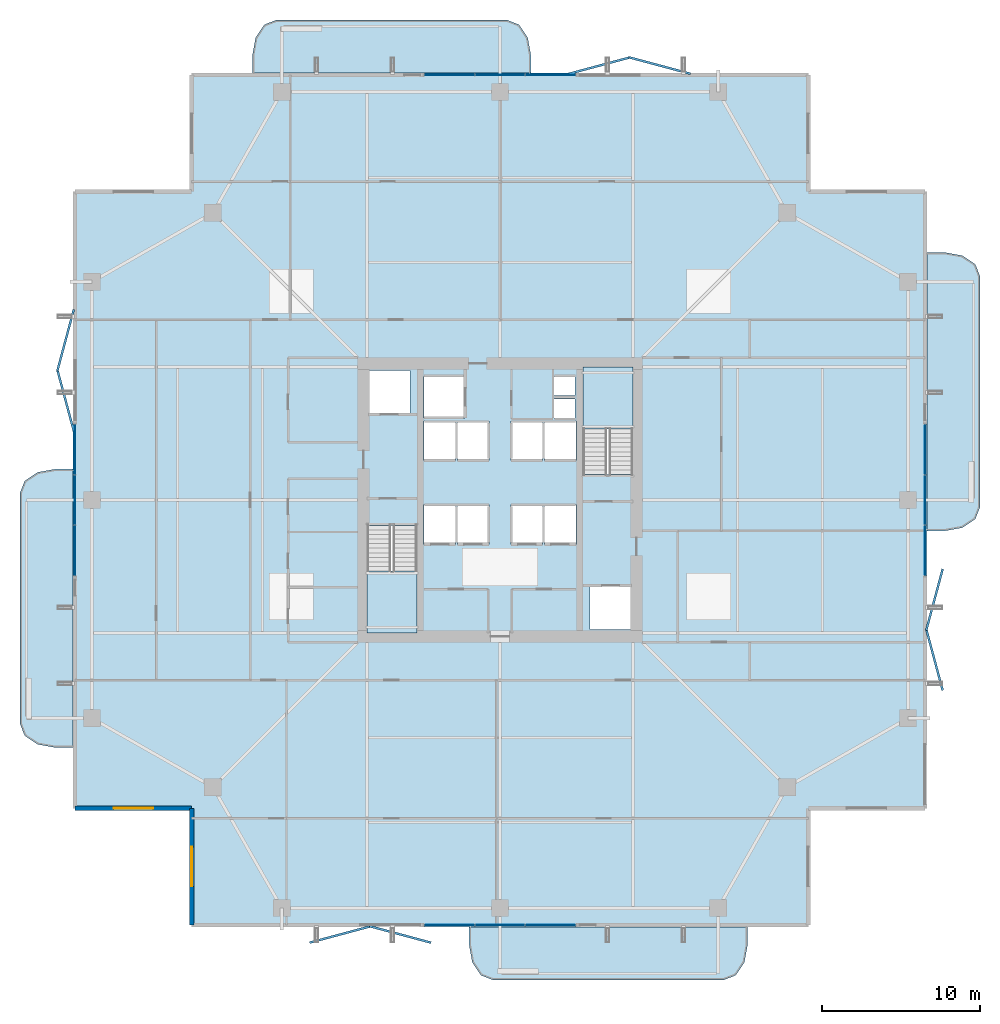
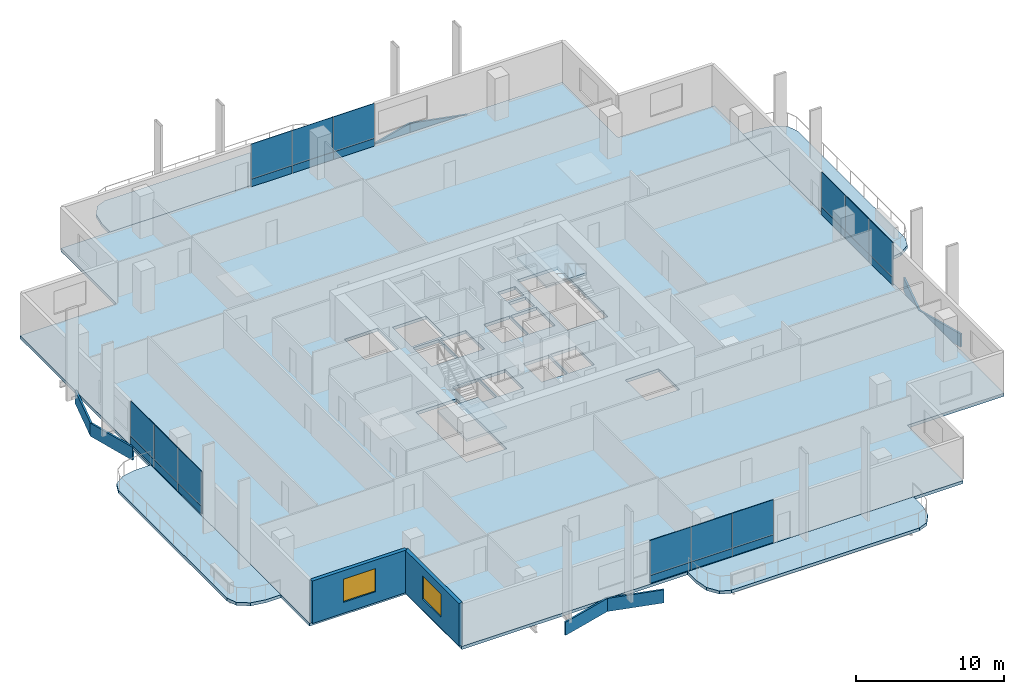
# One storey, part 16 of 24: 32 plates, 7 slabs, 2 walls, 2 windows, 2 openings, 6 elements without a shape of their own.
"""IFC4 building model written with IfcOpenShell, lengths in metres."""

import ifcopenshell
import ifcopenshell.guid

model = None  # the IFC model being written
_history = None  # IfcOwnerHistory: only IFC2X3 demands one
_inside = {}  # id of a spatial element -> (the spatial element, [elements in it])
_under = {}  # id of a project, library or spatial element -> (it, [spatial elements below it])
_declared = {}  # id of a project -> (the project, [libraries it declares])
_typed = {}  # id of a type object -> (the type object, [elements of that type])
_made_of = {}  # id of a material, layer set ... -> (it, [elements and type objects made of it])


def new_model(schema):
    """Start an empty IFC model of exactly this schema.

    Asked for "IFC4X3", IfcOpenShell would pick the latest addendum, in which some entities
    have other attributes; the version numbers below select the first issue.
    IFC2X3 requires an IfcOwnerHistory on every rooted entity: one is made here for all.
    """
    global model, _history
    if schema == "IFC4X3":
        model = ifcopenshell.file(schema_version=(4, 3, 0, 0))
    else:
        model = ifcopenshell.file(schema=schema)
    _inside.clear()
    _under.clear()
    _declared.clear()
    _typed.clear()
    _made_of.clear()
    _history = None
    if model.schema == "IFC2X3":
        org = make("IfcOrganization", Name="unknown")
        user = make(
            "IfcPersonAndOrganization",
            ThePerson=make("IfcPerson", FamilyName="unknown"),
            TheOrganization=org,
        )
        app = make(
            "IfcApplication",
            ApplicationDeveloper=org,
            Version="unknown",
            ApplicationFullName="unknown",
            ApplicationIdentifier="unknown",
        )
        _history = make(
            "IfcOwnerHistory",
            OwningUser=user,
            OwningApplication=app,
            ChangeAction="ADDED",
            CreationDate=0,
        )
    return model


def make(cls, **values):
    """One entity of the class cls with the attributes given. An attribute that is None is left unset."""
    return model.create_entity(
        cls, **{name: value for name, value in values.items() if value is not None}
    )


def rooted(cls, **values):
    """An entity with a GlobalId (a new one), such as an element, a storey or a relation."""
    return make(cls, GlobalId=ifcopenshell.guid.new(), OwnerHistory=_history, **values)


def si_unit(unit_type, name, prefix=None):
    """IfcSIUnit, for example si_unit("LENGTHUNIT", "METRE", prefix="MILLI")."""
    return make("IfcSIUnit", UnitType=unit_type, Prefix=prefix, Name=name)


def assignment(units):
    """IfcUnitAssignment: the units of a project."""
    return None if units is None else make("IfcUnitAssignment", Units=units)


def point(xyz):
    """IfcCartesianPoint."""
    return None if xyz is None else make("IfcCartesianPoint", Coordinates=xyz)


def direction(xyz):
    """IfcDirection."""
    return None if xyz is None else make("IfcDirection", DirectionRatios=xyz)


def frame(location, z_axis=None, x_axis=None):
    """IfcAxis2Placement3D, a coordinate frame: its origin and axes. An axis left out is left unset."""
    return make(
        "IfcAxis2Placement3D",
        Location=point(location),
        Axis=direction(z_axis),
        RefDirection=direction(x_axis),
    )


def frame_2d(location, x_axis=None):
    """IfcAxis2Placement2D, a coordinate frame in the plane: its origin and x axis."""
    return make(
        "IfcAxis2Placement2D", Location=point(location), RefDirection=direction(x_axis)
    )


def origin():
    """The frame at (0, 0, 0) with its axes left unset."""
    return frame((0.0, 0.0, 0.0))


def origin_2d():
    """The frame at (0, 0) in the plane with its x axis left unset."""
    return frame_2d((0.0, 0.0))


def place(relative_to, where):
    """IfcLocalPlacement: puts the frame where relative to a parent placement (None: the world)."""
    return make(
        "IfcLocalPlacement", PlacementRelTo=relative_to, RelativePlacement=where
    )


def context(
    kind, dimensions, precision=None, world=None, true_north=None, identifier=None
):
    """IfcGeometricRepresentationContext, for example the 3D "Model" context."""
    return make(
        "IfcGeometricRepresentationContext",
        ContextIdentifier=identifier,
        ContextType=kind,
        CoordinateSpaceDimension=dimensions,
        Precision=precision,
        WorldCoordinateSystem=world,
        TrueNorth=true_north,
    )


def subcontext(parent, identifier, kind, view, scale=None):
    """IfcGeometricRepresentationSubContext, for example "Body" below "Model"."""
    return make(
        "IfcGeometricRepresentationSubContext",
        ContextIdentifier=identifier,
        ContextType=kind,
        ParentContext=parent,
        TargetScale=scale,
        TargetView=view,
    )


def project(units=None, contexts=None):
    """IfcProject with its units and contexts."""
    return rooted(
        "IfcProject",
        Name="project",
        RepresentationContexts=contexts,
        UnitsInContext=assignment(units),
    )


def spatial(cls, under=None, at=None, **own):
    """A site, building, storey or space (cls), placed at a placement, below another one or the project."""
    s = rooted(cls, ObjectPlacement=at, **own)
    if under is not None:
        _under.setdefault(under.id(), (under, []))[1].append(s)
    return s


def polyline(points):
    """IfcPolyline through the points."""
    return make("IfcPolyline", Points=[point(p) for p in points])


def profile(cls, at=None, kind="AREA", **sizes):
    """A parametric profile (cls). Its sizes go by their IFC names, for example OverallWidth=200.0."""
    return make(cls, ProfileType=kind, Position=at, **sizes)


def rectangle(**sizes):
    """IfcRectangleProfileDef."""
    return profile("IfcRectangleProfileDef", **sizes)


def outline(outer, holes=None, kind="AREA"):
    """IfcArbitraryClosedProfileDef: a profile drawn as a closed curve; with holes, ...WithVoids."""
    if holes is None:
        return make("IfcArbitraryClosedProfileDef", ProfileType=kind, OuterCurve=outer)
    return make(
        "IfcArbitraryProfileDefWithVoids",
        ProfileType=kind,
        OuterCurve=outer,
        InnerCurves=holes,
    )


def extrude(swept, where, along, depth):
    """IfcExtrudedAreaSolid: the profile swept, set in the frame where, extruded along a direction by depth."""
    return make(
        "IfcExtrudedAreaSolid",
        SweptArea=swept,
        Position=where,
        ExtrudedDirection=direction(along),
        Depth=depth,
    )


def shape(context_of_items, identifier, shape_type, items):
    """IfcShapeRepresentation: the items that make up one representation, for example the "Body"."""
    return make(
        "IfcShapeRepresentation",
        ContextOfItems=context_of_items,
        RepresentationIdentifier=identifier,
        RepresentationType=shape_type,
        Items=items,
    )


def material(Name=None, Category=None):
    """IfcMaterial."""
    return make("IfcMaterial", Name=Name, Category=Category)


def layer(
    of_material, thickness, ventilated=None, Name=None, Category=None, Priority=None
):
    """IfcMaterialLayer: one layer of a wall or slab, of a material (None: an air gap)."""
    return make(
        "IfcMaterialLayer",
        Material=of_material,
        LayerThickness=thickness,
        IsVentilated=ventilated,
        Name=Name,
        Category=Category,
        Priority=Priority,
    )


def layer_set(layers, Name=None):
    """IfcMaterialLayerSet."""
    return make("IfcMaterialLayerSet", MaterialLayers=layers, LayerSetName=Name)


def made_of(thing, what):
    """Note that an element or type object is made of a material, layer set ...; save() writes the relation."""
    if what is not None:
        _made_of.setdefault(what.id(), (what, []))[1].append(thing)
    return thing


def type_object(cls, material=None, **own):
    """A type object (cls), such as IfcWallType, which elements share."""
    return made_of(rooted(cls, **own), material)


def element(
    cls,
    number,
    at=None,
    inside=None,
    cuts=None,
    type_object=None,
    material=None,
    context=None,
    identifier="Body",
    shape_type=None,
    held_by="IfcProductDefinitionShape",
    body=None,
    shapes=None,
    **own,
):
    """One element of the class cls, such as IfcWall. Its Tag is "e" and its number.

    at: its placement. inside: the storey or other place that contains it. cuts: it is an
    opening in that element (IfcRelVoidsElement). A single representation is given by context,
    identifier, shape_type and body (its items); several are given by shapes. held_by: the class
    of the entity that holds the representations. save() writes the other relations.
    """
    e = rooted(cls, Tag="e%d" % number, ObjectPlacement=at, **own)
    if body is not None:
        shapes = [shape(context, identifier, shape_type, body)]
    if shapes is not None:
        e.Representation = make(held_by, Representations=shapes)
    if inside is not None:
        _inside.setdefault(inside.id(), (inside, []))[1].append(e)
    if cuts is not None:
        rooted(
            "IfcRelVoidsElement", RelatingBuildingElement=cuts, RelatedOpeningElement=e
        )
    if type_object is not None:
        _typed.setdefault(type_object.id(), (type_object, []))[1].append(e)
    return made_of(e, material)


def fill(opening, filler):
    """IfcRelFillsElement: the door or window that sits in an opening."""
    return rooted(
        "IfcRelFillsElement",
        RelatingOpeningElement=opening,
        RelatedBuildingElement=filler,
    )


def aggregate(whole, parts):
    """IfcRelAggregates: a whole, such as a stair, and the parts it consists of."""
    return rooted("IfcRelAggregates", RelatingObject=whole, RelatedObjects=parts)


def save(model, path):
    """Write the relations noted so far, then the file.

    IfcRelAggregates (storeys below a building ...), IfcRelContainedInSpatialStructure (elements
    in a storey), IfcRelDefinesByType, IfcRelAssociatesMaterial and IfcRelDeclares: one each for
    every whole, place, type object, material and project.
    """
    for whole, parts in _under.values():
        aggregate(whole, parts)
    for where, things in _inside.values():
        rooted(
            "IfcRelContainedInSpatialStructure",
            RelatedElements=things,
            RelatingStructure=where,
        )
    for kind, things in _typed.values():
        rooted("IfcRelDefinesByType", RelatedObjects=things, RelatingType=kind)
    for what, things in _made_of.values():
        rooted("IfcRelAssociatesMaterial", RelatedObjects=things, RelatingMaterial=what)
    for by, libraries in _declared.values():
        rooted("IfcRelDeclares", RelatingContext=by, RelatedDefinitions=libraries)
    model.write(path)


model = new_model("IFC4")

# Units and contexts
model_context = context("Model", 3, precision=1e-05, world=origin(), true_north=direction((0.0, 1.0)))
body_context = subcontext(model_context, "Body", "Model", "MODEL_VIEW")
ifc_project = project(units=[si_unit("LENGTHUNIT", "METRE"), si_unit("AREAUNIT", "SQUARE_METRE"), si_unit("VOLUMEUNIT", "CUBIC_METRE"), si_unit("PLANEANGLEUNIT", "RADIAN"), si_unit("MASSUNIT", "GRAM", prefix="KILO")], contexts=[model_context])

# Site, building, storey
site_placement = place(None, origin())
site = spatial("IfcSite", under=ifc_project, at=site_placement, CompositionType="ELEMENT")
building_placement = place(site_placement, origin())
building = spatial("IfcBuilding", under=site, at=building_placement, Name="Belovzor Exchange Tower", CompositionType="ELEMENT")
storey_placement = place(building_placement, frame((0.0, 0.0, 226.199951171875)))
storey = spatial("IfcBuildingStorey", under=building, at=storey_placement, Name="L56", CompositionType="ELEMENT", Elevation=226.199951171875)

# Slab
ifc_material_1 = material(Name="Concrete C40/50", Category="concrete")
ifc_layer_1 = layer(ifc_material_1, 0.25)
ifc_layer_set_1 = layer_set([ifc_layer_1], Name="Concrete C40/50")
slab_type_1 = type_object("IfcSlabType", Name="Composite Concrete Floor Deck Slab 250", PredefinedType="FLOOR", material=ifc_layer_set_1)
slab_1_placement = place(storey_placement, frame((0.0, 0.0, -0.25)))
element("IfcSlab", 1, at=slab_1_placement, inside=storey, type_object=slab_type_1, Name="SL-F250 Structural Slab L56", PredefinedType="FLOOR", context=body_context, shape_type="SweptSolid", body=[
    extrude(outline(polyline([(9.300048828125, 1.800048828125), (48.300048828125, 1.800048828125), (48.300048828125, 9.300048828125), (55.800048828125, 9.300048828125), (55.800048828125, 48.300048828125), (48.300048828125, 48.300048828125), (48.300048828125, 55.800048828125), (9.300048828125, 55.800048828125), (9.300048828125, 48.300048828125), (1.800048828125, 48.300048828125), (1.800048828125, 9.300048828125), (9.300048828125, 9.300048828125), (9.300048828125, 1.800048828125)]), holes=[polyline([(20.39990234375, 27.175048828125), (20.39990234375, 20.39990234375), (23.550048828125, 20.39990234375), (23.550048828125, 27.175048828125), (20.39990234375, 27.175048828125)]), polyline([(37.199951171875, 30.425048828125), (37.199951171875, 37.199951171875), (34.050048828125, 37.199951171875), (34.050048828125, 30.425048828125), (37.199951171875, 30.425048828125)]), polyline([(20.5, 34.199951171875), (23.10009765625, 34.199951171875), (23.10009765625, 37.0), (20.5, 37.0), (20.5, 34.199951171875)]), polyline([(34.5, 20.60009765625), (37.10009765625, 20.60009765625), (37.10009765625, 23.39990234375), (34.5, 23.39990234375), (34.5, 20.60009765625)]), polyline([(24.0, 34.0), (26.60009765625, 34.0), (26.60009765625, 36.60009765625), (24.0, 36.60009765625), (24.0, 34.0)]), polyline([(24.0, 26.0), (26.0, 26.0), (26.0, 28.5), (24.0, 28.5), (24.0, 26.0)]), polyline([(26.10009765625, 26.0), (28.10009765625, 26.0), (28.10009765625, 28.5), (26.10009765625, 28.5), (26.10009765625, 26.0)]), polyline([(29.5, 26.0), (31.5, 26.0), (31.5, 28.5), (29.5, 28.5), (29.5, 26.0)]), polyline([(31.60009765625, 26.0), (33.60009765625, 26.0), (33.60009765625, 28.5), (31.60009765625, 28.5), (31.60009765625, 26.0)]), polyline([(24.0, 31.300048828125), (26.0, 31.300048828125), (26.0, 33.800048828125), (24.0, 33.800048828125), (24.0, 31.300048828125)]), polyline([(26.10009765625, 31.300048828125), (28.10009765625, 31.300048828125), (28.10009765625, 33.800048828125), (26.10009765625, 33.800048828125), (26.10009765625, 31.300048828125)]), polyline([(29.5, 31.300048828125), (31.5, 31.300048828125), (31.5, 33.800048828125), (29.5, 33.800048828125), (29.5, 31.300048828125)]), polyline([(31.60009765625, 31.300048828125), (33.60009765625, 31.300048828125), (33.60009765625, 33.800048828125), (31.60009765625, 33.800048828125), (31.60009765625, 31.300048828125)]), polyline([(32.199951171875, 34.0), (33.550048828125, 34.0), (33.550048828125, 35.199951171875), (32.199951171875, 35.199951171875), (32.199951171875, 34.0)]), polyline([(32.199951171875, 35.39990234375), (33.550048828125, 35.39990234375), (33.550048828125, 36.60009765625), (32.199951171875, 36.60009765625), (32.199951171875, 35.39990234375)])]), origin(), (0.0, 0.0, 1.0), 0.25),
])

# Curtain wall, plates
ifc_material_2 = material(Name="Anodised Aluminium Framing", Category="aluminium")
ifc_layer_2 = layer(ifc_material_2, 0.179931640625)
ifc_layer_set_2 = layer_set([ifc_layer_2], Name="Anodised Aluminium Framing")
curtain_wall_type = type_object("IfcCurtainWallType", Name="Recessed Loggia Low-Iron Triple-Glazed Curtain Wall", PredefinedType="NOTDEFINED", material=ifc_layer_set_2)
curtain_wall_1_placement = place(storey_placement, origin())
curtain_wall_1 = element("IfcCurtainWall", 2, at=curtain_wall_1_placement, inside=storey, type_object=curtain_wall_type, Name="CW3 Recessed Loggia Low-Iron Triple-Glazed Curtain Wall L56", PredefinedType="NOTDEFINED")
ifc_material_3 = material(Name="Solar-Control Triple Glazing", Category="glass")
ifc_layer_3 = layer(ifc_material_3, 0.0439453125)
ifc_layer_set_3 = layer_set([ifc_layer_3], Name="Solar-Control Triple Glazing")
plate_type_1 = type_object("IfcPlateType", Name="Insulated Solar Glazing Curtain Panel 44", PredefinedType="CURTAIN_PANEL", material=ifc_layer_set_3)
plate_1_placement = place(storey_placement, frame((32.0, 1.929931640625, 0.63232421875), z_axis=(0.0, 0.0, 1.0), x_axis=(-1.0, 0.0, 0.0)))
plate_1 = element("IfcPlate", 3, at=plate_1_placement, type_object=plate_type_1, Name="GLZ-44 Glazed Curtain Panel 1", PredefinedType="CURTAIN_PANEL", context=body_context, shape_type="SweptSolid", body=[
    extrude(rectangle(XDim=3.18408203125, YDim=0.0439453125, at=origin_2d()), origin(), (0.0, 0.0, 1.0), 2.867919921875),
])
plate_2_placement = place(storey_placement, frame((28.800048828125, 1.929931640625, 0.63232421875), z_axis=(0.0, 0.0, 1.0), x_axis=(-1.0, 0.0, 0.0)))
plate_2 = element("IfcPlate", 4, at=plate_2_placement, type_object=plate_type_1, Name="GLZ-44 Glazed Curtain Panel 2", PredefinedType="CURTAIN_PANEL", context=body_context, shape_type="SweptSolid", body=[
    extrude(rectangle(XDim=3.18408203125, YDim=0.0439453125, at=origin_2d()), origin(), (0.0, 0.0, 1.0), 2.867919921875),
])
plate_3_placement = place(storey_placement, frame((25.60009765625, 1.929931640625, 0.63232421875), z_axis=(0.0, 0.0, 1.0), x_axis=(-1.0, 0.0, 0.0)))
plate_3 = element("IfcPlate", 5, at=plate_3_placement, type_object=plate_type_1, Name="GLZ-44 Glazed Curtain Panel 3", PredefinedType="CURTAIN_PANEL", context=body_context, shape_type="SweptSolid", body=[
    extrude(rectangle(XDim=3.18408203125, YDim=0.0439453125, at=origin_2d()), origin(), (0.0, 0.0, 1.0), 2.867919921875),
])

curtain_wall_2_placement = place(storey_placement, origin())
curtain_wall_2 = element("IfcCurtainWall", 6, at=curtain_wall_2_placement, inside=storey, type_object=curtain_wall_type, Name="CW3 Recessed Loggia Low-Iron Triple-Glazed Curtain Wall L56", PredefinedType="NOTDEFINED")
plate_4_placement = place(storey_placement, frame((25.60009765625, 55.669921875, 0.63232421875), z_axis=(0.0, 0.0, 1.0), x_axis=(1.0, 0.0, 0.0)))
plate_4 = element("IfcPlate", 7, at=plate_4_placement, type_object=plate_type_1, Name="GLZ-44 Glazed Curtain Panel 1", PredefinedType="CURTAIN_PANEL", context=body_context, shape_type="SweptSolid", body=[
    extrude(rectangle(XDim=3.18408203125, YDim=0.0439453125, at=origin_2d()), origin(), (0.0, 0.0, 1.0), 2.867919921875),
])
plate_5_placement = place(storey_placement, frame((28.800048828125, 55.669921875, 0.63232421875), z_axis=(0.0, 0.0, 1.0), x_axis=(1.0, 0.0, 0.0)))
plate_5 = element("IfcPlate", 8, at=plate_5_placement, type_object=plate_type_1, Name="GLZ-44 Glazed Curtain Panel 2", PredefinedType="CURTAIN_PANEL", context=body_context, shape_type="SweptSolid", body=[
    extrude(rectangle(XDim=3.18408203125, YDim=0.0439453125, at=origin_2d()), origin(), (0.0, 0.0, 1.0), 2.867919921875),
])
plate_6_placement = place(storey_placement, frame((32.0, 55.669921875, 0.63232421875), z_axis=(0.0, 0.0, 1.0), x_axis=(1.0, 0.0, 0.0)))
plate_6 = element("IfcPlate", 9, at=plate_6_placement, type_object=plate_type_1, Name="GLZ-44 Glazed Curtain Panel 3", PredefinedType="CURTAIN_PANEL", context=body_context, shape_type="SweptSolid", body=[
    extrude(rectangle(XDim=3.18408203125, YDim=0.0439453125, at=origin_2d()), origin(), (0.0, 0.0, 1.0), 2.867919921875),
])

curtain_wall_3_placement = place(storey_placement, origin())
curtain_wall_3 = element("IfcCurtainWall", 10, at=curtain_wall_3_placement, inside=storey, type_object=curtain_wall_type, Name="CW3 Recessed Loggia Low-Iron Triple-Glazed Curtain Wall L56", PredefinedType="NOTDEFINED")
plate_7_placement = place(storey_placement, frame((1.929931640625, 25.60009765625, 0.63232421875), z_axis=(0.0, 0.0, 1.0), x_axis=(0.0, 1.0, 0.0)))
plate_7 = element("IfcPlate", 11, at=plate_7_placement, type_object=plate_type_1, Name="GLZ-44 Glazed Curtain Panel 1", PredefinedType="CURTAIN_PANEL", context=body_context, shape_type="SweptSolid", body=[
    extrude(rectangle(XDim=3.18408203125, YDim=0.0439453125, at=origin_2d()), origin(), (0.0, 0.0, 1.0), 2.867919921875),
])
plate_8_placement = place(storey_placement, frame((1.929931640625, 28.800048828125, 0.63232421875), z_axis=(0.0, 0.0, 1.0), x_axis=(0.0, 1.0, 0.0)))
plate_8 = element("IfcPlate", 12, at=plate_8_placement, type_object=plate_type_1, Name="GLZ-44 Glazed Curtain Panel 2", PredefinedType="CURTAIN_PANEL", context=body_context, shape_type="SweptSolid", body=[
    extrude(rectangle(XDim=3.18408203125, YDim=0.0439453125, at=origin_2d()), origin(), (0.0, 0.0, 1.0), 2.867919921875),
])
plate_9_placement = place(storey_placement, frame((1.929931640625, 32.0, 0.63232421875), z_axis=(0.0, 0.0, 1.0), x_axis=(0.0, 1.0, 0.0)))
plate_9 = element("IfcPlate", 13, at=plate_9_placement, type_object=plate_type_1, Name="GLZ-44 Glazed Curtain Panel 3", PredefinedType="CURTAIN_PANEL", context=body_context, shape_type="SweptSolid", body=[
    extrude(rectangle(XDim=3.18408203125, YDim=0.0439453125, at=origin_2d()), origin(), (0.0, 0.0, 1.0), 2.867919921875),
])

curtain_wall_4_placement = place(storey_placement, origin())
curtain_wall_4 = element("IfcCurtainWall", 14, at=curtain_wall_4_placement, inside=storey, type_object=curtain_wall_type, Name="CW3 Recessed Loggia Low-Iron Triple-Glazed Curtain Wall L56", PredefinedType="NOTDEFINED")
plate_10_placement = place(storey_placement, frame((55.669921875, 32.0, 0.63232421875), z_axis=(0.0, 0.0, 1.0), x_axis=(0.0, -1.0, 0.0)))
plate_10 = element("IfcPlate", 15, at=plate_10_placement, type_object=plate_type_1, Name="GLZ-44 Glazed Curtain Panel 1", PredefinedType="CURTAIN_PANEL", context=body_context, shape_type="SweptSolid", body=[
    extrude(rectangle(XDim=3.18408203125, YDim=0.0439453125, at=origin_2d()), origin(), (0.0, 0.0, 1.0), 2.867919921875),
])
plate_11_placement = place(storey_placement, frame((55.669921875, 28.800048828125, 0.63232421875), z_axis=(0.0, 0.0, 1.0), x_axis=(0.0, -1.0, 0.0)))
plate_11 = element("IfcPlate", 16, at=plate_11_placement, type_object=plate_type_1, Name="GLZ-44 Glazed Curtain Panel 2", PredefinedType="CURTAIN_PANEL", context=body_context, shape_type="SweptSolid", body=[
    extrude(rectangle(XDim=3.18408203125, YDim=0.0439453125, at=origin_2d()), origin(), (0.0, 0.0, 1.0), 2.867919921875),
])
plate_12_placement = place(storey_placement, frame((55.669921875, 25.60009765625, 0.63232421875), z_axis=(0.0, 0.0, 1.0), x_axis=(0.0, -1.0, 0.0)))
plate_12 = element("IfcPlate", 17, at=plate_12_placement, type_object=plate_type_1, Name="GLZ-44 Glazed Curtain Panel 3", PredefinedType="CURTAIN_PANEL", context=body_context, shape_type="SweptSolid", body=[
    extrude(rectangle(XDim=3.18408203125, YDim=0.0439453125, at=origin_2d()), origin(), (0.0, 0.0, 1.0), 2.867919921875),
])

# Plates
ifc_material_4 = material(Name="Extruded Architectural Terracotta", Category="masonry")
ifc_layer_4 = layer(ifc_material_4, 0.139892578125)
ifc_layer_set_4 = layer_set([ifc_layer_4], Name="Extruded Architectural Terracotta")
plate_type_2 = type_object("IfcPlateType", Name="Mid-Tower Folded Zigzag Terracotta Spandrel Louvre 120", PredefinedType="USERDEFINED", material=ifc_layer_set_4)
for number, where, z_axis, x_axis, name in (
    (18, (18.699951171875, 1.330078125, -1.06494140625), (0.0, 0.0, 1.0), (0.965812803231, 0.259240485101, 0.0), "LVR-ZZ2 Zigzag Terracotta Spandrel Louvre L56 S1A"),
    (19, (22.5, 1.330078125, -1.06494140625), (0.0, 0.0, 1.0), (0.965812803231, -0.259240485101, 0.0), "LVR-ZZ2 Zigzag Terracotta Spandrel Louvre L56 S1B"),
    (20, (56.27001953125, 18.699951171875, -1.06494140625), (0.0, 0.0, 1.0), (-0.259240485101, 0.965812803231, 0.0), "LVR-ZZ2 Zigzag Terracotta Spandrel Louvre L56 E1A"),
    (21, (56.27001953125, 22.5, -1.06494140625), (0.0, 0.0, 1.0), (0.259240485101, 0.965812803231, 0.0), "LVR-ZZ2 Zigzag Terracotta Spandrel Louvre L56 E1B"),
    (22, (35.10009765625, 56.27001953125, -1.06494140625), (0.0, 0.0, 1.0), (0.965812803231, 0.259240485101, 0.0), "LVR-ZZ2 Zigzag Terracotta Spandrel Louvre L56 N2A"),
    (23, (38.89990234375, 56.27001953125, -1.06494140625), (0.0, 0.0, 1.0), (0.965812803231, -0.259240485101, 0.0), "LVR-ZZ2 Zigzag Terracotta Spandrel Louvre L56 N2B"),
    (24, (1.330078125, 35.10009765625, -1.06494140625), (0.0, 0.0, 1.0), (-0.259240485101, 0.965812803231, 0.0), "LVR-ZZ2 Zigzag Terracotta Spandrel Louvre L56 W2A"),
    (25, (1.330078125, 38.89990234375, -1.06494140625), (0.0, 0.0, 1.0), (0.259240485101, 0.965812803231, 0.0), "LVR-ZZ2 Zigzag Terracotta Spandrel Louvre L56 W2B"),
):
    element("IfcPlate", number, at=place(storey_placement, frame(where, z_axis=z_axis, x_axis=x_axis)), inside=storey, type_object=plate_type_2, Name=name, ObjectType="SPANDREL_LOUVRE", PredefinedType="USERDEFINED", context=body_context, shape_type="SweptSolid", body=[
        extrude(rectangle(XDim=4.014892578125, YDim=0.139892578125, at=origin_2d()), origin(), (0.0, 0.0, 1.0), 1.080078125),
    ])

# Stair, slab
ifc_material_5 = material(Name="Concrete C40/50", Category="concrete")
stair_type = type_object("IfcStairType", Name="Reinforced Concrete Dogleg Escape Stair 1350", PredefinedType="HALF_TURN_STAIR", material=ifc_material_5)
stair_1_placement = place(storey_placement, origin())
stair_1 = element("IfcStair", 26, at=stair_1_placement, inside=storey, type_object=stair_type, Name="L56 ST-1", PredefinedType="HALF_TURN_STAIR")
ifc_material_6 = material(Name="Concrete C40/50", Category="concrete")
ifc_layer_5 = layer(ifc_material_6, 0.199951171875)
ifc_layer_set_5 = layer_set([ifc_layer_5], Name="Concrete C40/50")
slab_type_2 = type_object("IfcSlabType", Name="Reinforced Concrete Stair Half-Landing Slab 200", PredefinedType="LANDING", material=ifc_layer_set_5)
slab_2_placement = place(storey_placement, frame((0.0, 0.0, 1.675048828125)))
slab_2 = element("IfcSlab", 27, at=slab_2_placement, type_object=slab_type_2, Name="ST-1 landing 1", PredefinedType="LANDING", context=body_context, shape_type="SweptSolid", body=[
    extrude(outline(polyline([(20.39990234375, 24.300048828125), (20.39990234375, 20.39990234375), (23.550048828125, 20.39990234375), (23.550048828125, 24.300048828125), (20.39990234375, 24.300048828125)])), origin(), (0.0, 0.0, 1.0), 0.199951171875),
])
aggregate(stair_1, [slab_2])

stair_2_placement = place(storey_placement, origin())
stair_2 = element("IfcStair", 28, at=stair_2_placement, inside=storey, type_object=stair_type, Name="L56 ST-2", PredefinedType="HALF_TURN_STAIR")
slab_3_placement = place(storey_placement, frame((0.0, 0.0, 1.675048828125)))
slab_3 = element("IfcSlab", 29, at=slab_3_placement, type_object=slab_type_2, Name="ST-2 landing 1", PredefinedType="LANDING", context=body_context, shape_type="SweptSolid", body=[
    extrude(outline(polyline([(37.199951171875, 33.300048828125), (37.199951171875, 37.199951171875), (34.050048828125, 37.199951171875), (34.050048828125, 33.300048828125), (37.199951171875, 33.300048828125)])), origin(), (0.0, 0.0, 1.0), 0.199951171875),
])
aggregate(stair_2, [slab_3])

# Plate
ifc_material_7 = material(Name="Extruded Architectural Terracotta", Category="masonry")
ifc_layer_6 = layer(ifc_material_7, 0.090087890625)
ifc_layer_set_6 = layer_set([ifc_layer_6], Name="Extruded Architectural Terracotta")
plate_type_3 = type_object("IfcPlateType", Name="Terracotta Shadow-Box Spandrel Panel 90", PredefinedType="CURTAIN_PANEL", material=ifc_layer_set_6)
plate_13_placement = place(storey_placement, frame((32.0, 1.929931640625, 0.0), z_axis=(0.0, 0.0, 1.0), x_axis=(-1.0, 0.0, 0.0)))
plate_13 = element("IfcPlate", 30, at=plate_13_placement, type_object=plate_type_3, Name="SPD-90 Spandrel Panel 1", PredefinedType="CURTAIN_PANEL", context=body_context, shape_type="SweptSolid", body=[
    extrude(rectangle(XDim=3.18408203125, YDim=0.090087890625, at=origin_2d()), origin(), (0.0, 0.0, 1.0), 0.6279296875),
])

plate_14_placement = place(storey_placement, frame((28.800048828125, 1.929931640625, 0.0), z_axis=(0.0, 0.0, 1.0), x_axis=(-1.0, 0.0, 0.0)))
plate_14 = element("IfcPlate", 31, at=plate_14_placement, type_object=plate_type_3, Name="SPD-90 Spandrel Panel 2", PredefinedType="CURTAIN_PANEL", context=body_context, shape_type="SweptSolid", body=[
    extrude(rectangle(XDim=3.18408203125, YDim=0.090087890625, at=origin_2d()), origin(), (0.0, 0.0, 1.0), 0.6279296875),
])

plate_15_placement = place(storey_placement, frame((25.60009765625, 1.929931640625, 0.0), z_axis=(0.0, 0.0, 1.0), x_axis=(-1.0, 0.0, 0.0)))
plate_15 = element("IfcPlate", 32, at=plate_15_placement, type_object=plate_type_3, Name="SPD-90 Spandrel Panel 3", PredefinedType="CURTAIN_PANEL", context=body_context, shape_type="SweptSolid", body=[
    extrude(rectangle(XDim=3.18408203125, YDim=0.090087890625, at=origin_2d()), origin(), (0.0, 0.0, 1.0), 0.6279296875),
])

aggregate(curtain_wall_1, [plate_13, plate_1, plate_14, plate_2, plate_15, plate_3])

plate_16_placement = place(storey_placement, frame((25.60009765625, 55.669921875, 0.0), z_axis=(0.0, 0.0, 1.0), x_axis=(1.0, 0.0, 0.0)))
plate_16 = element("IfcPlate", 33, at=plate_16_placement, type_object=plate_type_3, Name="SPD-90 Spandrel Panel 1", PredefinedType="CURTAIN_PANEL", context=body_context, shape_type="SweptSolid", body=[
    extrude(rectangle(XDim=3.18408203125, YDim=0.090087890625, at=origin_2d()), origin(), (0.0, 0.0, 1.0), 0.6279296875),
])

plate_17_placement = place(storey_placement, frame((28.800048828125, 55.669921875, 0.0), z_axis=(0.0, 0.0, 1.0), x_axis=(1.0, 0.0, 0.0)))
plate_17 = element("IfcPlate", 34, at=plate_17_placement, type_object=plate_type_3, Name="SPD-90 Spandrel Panel 2", PredefinedType="CURTAIN_PANEL", context=body_context, shape_type="SweptSolid", body=[
    extrude(rectangle(XDim=3.18408203125, YDim=0.090087890625, at=origin_2d()), origin(), (0.0, 0.0, 1.0), 0.6279296875),
])

plate_18_placement = place(storey_placement, frame((32.0, 55.669921875, 0.0), z_axis=(0.0, 0.0, 1.0), x_axis=(1.0, 0.0, 0.0)))
plate_18 = element("IfcPlate", 35, at=plate_18_placement, type_object=plate_type_3, Name="SPD-90 Spandrel Panel 3", PredefinedType="CURTAIN_PANEL", context=body_context, shape_type="SweptSolid", body=[
    extrude(rectangle(XDim=3.18408203125, YDim=0.090087890625, at=origin_2d()), origin(), (0.0, 0.0, 1.0), 0.6279296875),
])

aggregate(curtain_wall_2, [plate_16, plate_4, plate_17, plate_5, plate_18, plate_6])

plate_19_placement = place(storey_placement, frame((1.929931640625, 25.60009765625, 0.0), z_axis=(0.0, 0.0, 1.0), x_axis=(0.0, 1.0, 0.0)))
plate_19 = element("IfcPlate", 36, at=plate_19_placement, type_object=plate_type_3, Name="SPD-90 Spandrel Panel 1", PredefinedType="CURTAIN_PANEL", context=body_context, shape_type="SweptSolid", body=[
    extrude(rectangle(XDim=3.18408203125, YDim=0.090087890625, at=origin_2d()), origin(), (0.0, 0.0, 1.0), 0.6279296875),
])

plate_20_placement = place(storey_placement, frame((1.929931640625, 28.800048828125, 0.0), z_axis=(0.0, 0.0, 1.0), x_axis=(0.0, 1.0, 0.0)))
plate_20 = element("IfcPlate", 37, at=plate_20_placement, type_object=plate_type_3, Name="SPD-90 Spandrel Panel 2", PredefinedType="CURTAIN_PANEL", context=body_context, shape_type="SweptSolid", body=[
    extrude(rectangle(XDim=3.18408203125, YDim=0.090087890625, at=origin_2d()), origin(), (0.0, 0.0, 1.0), 0.6279296875),
])

plate_21_placement = place(storey_placement, frame((1.929931640625, 32.0, 0.0), z_axis=(0.0, 0.0, 1.0), x_axis=(0.0, 1.0, 0.0)))
plate_21 = element("IfcPlate", 38, at=plate_21_placement, type_object=plate_type_3, Name="SPD-90 Spandrel Panel 3", PredefinedType="CURTAIN_PANEL", context=body_context, shape_type="SweptSolid", body=[
    extrude(rectangle(XDim=3.18408203125, YDim=0.090087890625, at=origin_2d()), origin(), (0.0, 0.0, 1.0), 0.6279296875),
])

aggregate(curtain_wall_3, [plate_19, plate_7, plate_20, plate_8, plate_21, plate_9])

plate_22_placement = place(storey_placement, frame((55.669921875, 32.0, 0.0), z_axis=(0.0, 0.0, 1.0), x_axis=(0.0, -1.0, 0.0)))
plate_22 = element("IfcPlate", 39, at=plate_22_placement, type_object=plate_type_3, Name="SPD-90 Spandrel Panel 1", PredefinedType="CURTAIN_PANEL", context=body_context, shape_type="SweptSolid", body=[
    extrude(rectangle(XDim=3.18408203125, YDim=0.090087890625, at=origin_2d()), origin(), (0.0, 0.0, 1.0), 0.6279296875),
])

plate_23_placement = place(storey_placement, frame((55.669921875, 28.800048828125, 0.0), z_axis=(0.0, 0.0, 1.0), x_axis=(0.0, -1.0, 0.0)))
plate_23 = element("IfcPlate", 40, at=plate_23_placement, type_object=plate_type_3, Name="SPD-90 Spandrel Panel 2", PredefinedType="CURTAIN_PANEL", context=body_context, shape_type="SweptSolid", body=[
    extrude(rectangle(XDim=3.18408203125, YDim=0.090087890625, at=origin_2d()), origin(), (0.0, 0.0, 1.0), 0.6279296875),
])

plate_24_placement = place(storey_placement, frame((55.669921875, 25.60009765625, 0.0), z_axis=(0.0, 0.0, 1.0), x_axis=(0.0, -1.0, 0.0)))
plate_24 = element("IfcPlate", 41, at=plate_24_placement, type_object=plate_type_3, Name="SPD-90 Spandrel Panel 3", PredefinedType="CURTAIN_PANEL", context=body_context, shape_type="SweptSolid", body=[
    extrude(rectangle(XDim=3.18408203125, YDim=0.090087890625, at=origin_2d()), origin(), (0.0, 0.0, 1.0), 0.6279296875),
])

aggregate(curtain_wall_4, [plate_22, plate_10, plate_23, plate_11, plate_24, plate_12])

# Slabs
ifc_material_8 = material(Name="Concrete C40/50", Category="concrete")
ifc_layer_7 = layer(ifc_material_8, 0.25)
ifc_layer_set_7 = layer_set([ifc_layer_7], Name="Concrete C40/50")
slab_type_3 = type_object("IfcSlabType", Name="Thermally Broken Planted Balcony Slab 250", PredefinedType="FLOOR", material=ifc_layer_set_7)
slab_4_placement = place(storey_placement, frame((0.0, 0.0, -0.25)))
element("IfcSlab", 42, at=slab_4_placement, inside=storey, type_object=slab_type_3, Name="SL-BAL220 Planted Balcony Loggia L56 South", PredefinedType="FLOOR", context=body_context, shape_type="SweptSolid", body=[
    extrude(outline(polyline([(26.85009765625, 1.81494140625), (26.85009765625, 0.64990234375), (27.051025390625, -0.449951171875), (27.60009765625, -1.2548828125), (28.35009765625, -1.550048828125), (42.949951171875, -1.550048828125), (43.699951171875, -1.2548828125), (44.2490234375, -0.449951171875), (44.449951171875, 0.64990234375), (44.449951171875, 1.81494140625), (26.85009765625, 1.81494140625)])), origin(), (0.0, 0.0, 1.0), 0.25),
])
slab_5_placement = place(storey_placement, frame((0.0, 0.0, -0.25)))
element("IfcSlab", 43, at=slab_5_placement, inside=storey, type_object=slab_type_3, Name="SL-BAL220 Planted Balcony Loggia L56 North", PredefinedType="FLOOR", context=body_context, shape_type="SweptSolid", body=[
    extrude(outline(polyline([(30.75, 55.784912109375), (30.75, 56.949951171875), (30.549072265625, 58.050048828125), (30.0, 58.85498046875), (29.25, 59.14990234375), (14.64990234375, 59.14990234375), (13.89990234375, 58.85498046875), (13.35107421875, 58.050048828125), (13.14990234375, 56.949951171875), (13.14990234375, 55.784912109375), (30.75, 55.784912109375)])), origin(), (0.0, 0.0, 1.0), 0.25),
])
slab_6_placement = place(storey_placement, frame((0.0, 0.0, -0.25)))
element("IfcSlab", 44, at=slab_6_placement, inside=storey, type_object=slab_type_3, Name="SL-BAL220 Planted Balcony Loggia L56 East", PredefinedType="FLOOR", context=body_context, shape_type="SweptSolid", body=[
    extrude(outline(polyline([(55.784912109375, 26.85009765625), (56.949951171875, 26.85009765625), (58.050048828125, 27.051025390625), (58.85498046875, 27.60009765625), (59.14990234375, 28.35009765625), (59.14990234375, 42.949951171875), (58.85498046875, 43.699951171875), (58.050048828125, 44.2490234375), (56.949951171875, 44.449951171875), (55.784912109375, 44.449951171875), (55.784912109375, 26.85009765625)])), origin(), (0.0, 0.0, 1.0), 0.25),
])
slab_7_placement = place(storey_placement, frame((0.0, 0.0, -0.25)))
element("IfcSlab", 45, at=slab_7_placement, inside=storey, type_object=slab_type_3, Name="SL-BAL220 Planted Balcony Loggia L56 West", PredefinedType="FLOOR", context=body_context, shape_type="SweptSolid", body=[
    extrude(outline(polyline([(1.81494140625, 30.75), (0.64990234375, 30.75), (-0.449951171875, 30.549072265625), (-1.2548828125, 30.0), (-1.550048828125, 29.25), (-1.550048828125, 14.64990234375), (-1.2548828125, 13.89990234375), (-0.449951171875, 13.35107421875), (0.64990234375, 13.14990234375), (1.81494140625, 13.14990234375), (1.81494140625, 30.75)])), origin(), (0.0, 0.0, 1.0), 0.25),
])

# Wall, opening, window
ifc_material_9 = material(Name="Precast concrete C40/50", Category="concrete")
ifc_layer_8 = layer(ifc_material_9, 0.280029296875)
ifc_layer_set_8 = layer_set([ifc_layer_8], Name="Precast concrete C40/50")
wall_type = type_object("IfcWallType", Name="Precast Concrete Notched Corner Frame Wall 280", PredefinedType="SOLIDWALL", material=ifc_layer_set_8)
wall_1_placement = place(storey_placement, frame((9.300048828125, 1.929931640625, 0.0), z_axis=(0.0, 0.0, 1.0), x_axis=(0.0, 1.0, 0.0)))
wall_1 = element("IfcWall", 46, at=wall_1_placement, inside=storey, type_object=wall_type, Name="W-CRN280 Precast Concrete Notched Corner Frame Wall 280 L56", PredefinedType="SOLIDWALL", context=body_context, shape_type="SweptSolid", body=[
    extrude(rectangle(XDim=7.3701171875, YDim=0.280029296875, at=frame_2d((3.68505859375, 0.0))), origin(), (0.0, 0.0, 1.0), 3.5),
])
opening_1_placement = place(wall_1_placement, frame((2.43505859375, 0.0, 0.89990234375)))
opening_1 = element("IfcOpeningElement", 47, at=opening_1_placement, cuts=wall_1, Name="Opening WN-CRN250", PredefinedType="OPENING", context=body_context, shape_type="SweptSolid", body=[
    extrude(rectangle(XDim=2.5, YDim=1.89990234375, at=frame_2d((1.25, 0.949951171875))), frame((0.0, 0.14990234375, 0.0), z_axis=(0.0, -1.0, 0.0), x_axis=(1.0, 0.0, 0.0)), (0.0, 0.0, 1.0), 0.300048828125),
])
ifc_material_10 = material(Name="Thermally Broken Aluminium and Triple Glazing", Category="aluminium")
window_type = type_object("IfcWindowType", Name="Streamline Moderne Corner Wrap Ribbon Window 2500x1900", PartitioningType="SINGLE_PANEL", PredefinedType="WINDOW", material=ifc_material_10)
window_1_placement = place(opening_1_placement, origin())
window_1 = element("IfcWindow", 48, at=window_1_placement, inside=storey, type_object=window_type, Name="WN-CRN250 Streamline Moderne Corner Wrap Ribbon Window 2500x1900", OverallHeight=1.89990234375, OverallWidth=2.5, PartitioningType="SINGLE_PANEL", PredefinedType="WINDOW", context=body_context, shape_type="SweptSolid", body=[
    extrude(rectangle(XDim=2.5, YDim=1.89990234375, at=frame_2d((1.25, 0.949951171875))), frame((0.0, 0.030029296875, 0.0), z_axis=(0.0, -1.0, 0.0), x_axis=(1.0, 0.0, 0.0)), (0.0, 0.0, 1.0), 0.06005859375),
])
fill(opening_1, window_1)

wall_2_placement = place(storey_placement, frame((9.300048828125, 9.300048828125, 0.0), z_axis=(0.0, 0.0, 1.0), x_axis=(-1.0, 0.0, 0.0)))
wall_2 = element("IfcWall", 49, at=wall_2_placement, inside=storey, type_object=wall_type, Name="W-CRN280 Precast Concrete Notched Corner Frame Wall 280 L56", PredefinedType="SOLIDWALL", context=body_context, shape_type="SweptSolid", body=[
    extrude(rectangle(XDim=7.3701171875, YDim=0.280029296875, at=frame_2d((3.68505859375, 0.0))), origin(), (0.0, 0.0, 1.0), 3.5),
])
opening_2_placement = place(wall_2_placement, frame((2.43505859375, 0.0, 0.89990234375)))
opening_2 = element("IfcOpeningElement", 50, at=opening_2_placement, cuts=wall_2, Name="Opening WN-CRN250", PredefinedType="OPENING", context=body_context, shape_type="SweptSolid", body=[
    extrude(rectangle(XDim=2.5, YDim=1.89990234375, at=frame_2d((1.25, 0.949951171875))), frame((0.0, 0.14990234375, 0.0), z_axis=(0.0, -1.0, 0.0), x_axis=(1.0, 0.0, 0.0)), (0.0, 0.0, 1.0), 0.300048828125),
])
window_2_placement = place(opening_2_placement, origin())
window_2 = element("IfcWindow", 51, at=window_2_placement, inside=storey, type_object=window_type, Name="WN-CRN250 Streamline Moderne Corner Wrap Ribbon Window 2500x1900", OverallHeight=1.89990234375, OverallWidth=2.5, PartitioningType="SINGLE_PANEL", PredefinedType="WINDOW", context=body_context, shape_type="SweptSolid", body=[
    extrude(rectangle(XDim=2.5, YDim=1.89990234375, at=frame_2d((1.25, 0.949951171875))), frame((0.0, 0.030029296875, 0.0), z_axis=(0.0, -1.0, 0.0), x_axis=(1.0, 0.0, 0.0)), (0.0, 0.0, 1.0), 0.06005859375),
])
fill(opening_2, window_2)

save(model, "model.ifc")
